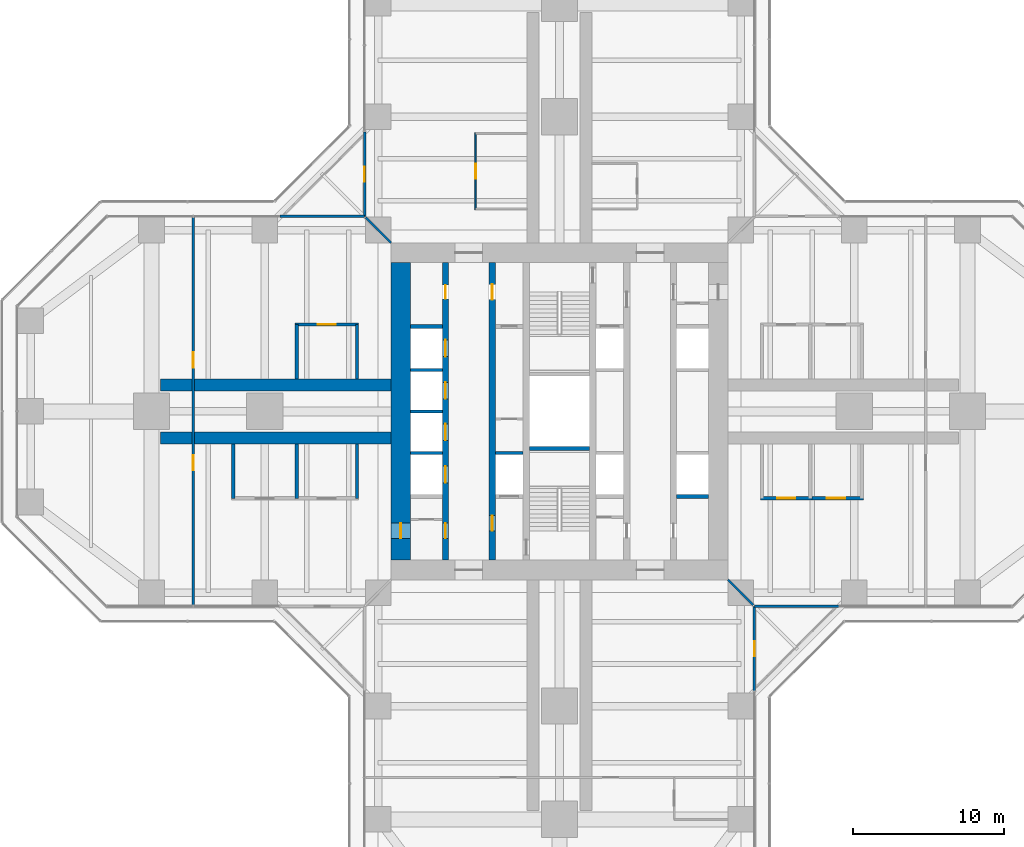
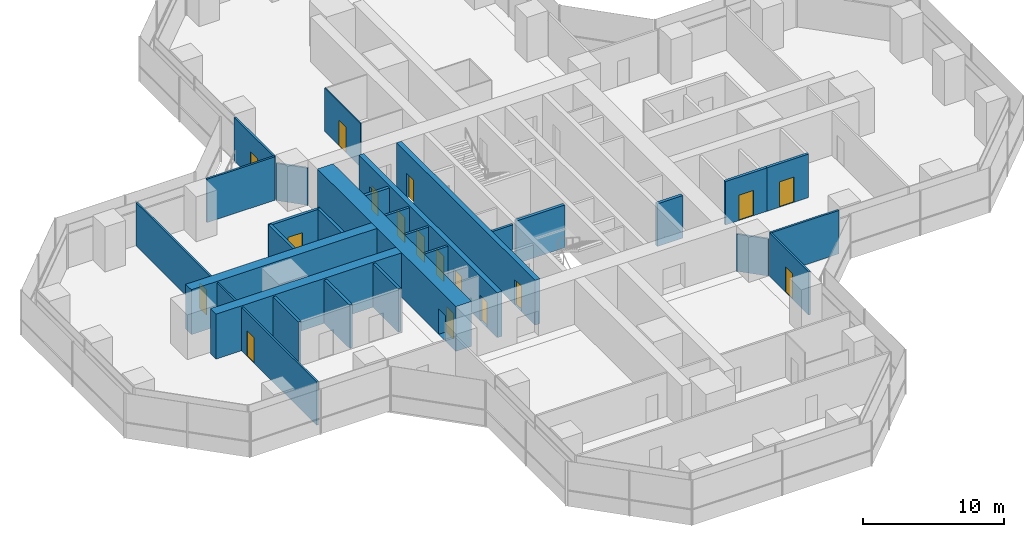
# One storey, part 18 of 22: 28 walls, 17 doors, 17 openings.
"""IFC4 building model written with IfcOpenShell, lengths in metres."""

from ifc_helpers import new_model, si_unit, direction, frame, frame_2d, origin, place, context, subcontext, project, spatial, rectangle, extrude, material, layer, layer_set, type_object, element, fill, save


model = new_model("IFC4")

# Units and contexts
model_context = context("Model", 3, precision=1e-05, world=origin(), true_north=direction((0.0, 1.0)))
body_context = subcontext(model_context, "Body", "Model", "MODEL_VIEW")
ifc_project = project(units=[si_unit("LENGTHUNIT", "METRE"), si_unit("AREAUNIT", "SQUARE_METRE"), si_unit("VOLUMEUNIT", "CUBIC_METRE"), si_unit("PLANEANGLEUNIT", "RADIAN"), si_unit("MASSUNIT", "GRAM", prefix="KILO")], contexts=[model_context])

# Site, building, storey
site_placement = place(None, origin())
site = spatial("IfcSite", under=ifc_project, at=site_placement, CompositionType="ELEMENT")
building_placement = place(site_placement, origin())
building = spatial("IfcBuilding", under=site, at=building_placement, Name="Mizan Broadcast Tower", CompositionType="ELEMENT")
storey_placement = place(building_placement, frame((0.0, 0.0, 59.10009765625)))
storey = spatial("IfcBuildingStorey", under=building, at=storey_placement, Name="L11", CompositionType="ELEMENT", Elevation=59.10009765625)

# Wall, openings, doors
ifc_material_1 = material(Name="Concrete C70/85", Category="concrete")
ifc_layer_1 = layer(ifc_material_1, 0.39990234375)
ifc_layer_set_1 = layer_set([ifc_layer_1], Name="Concrete C70/85")
wall_type_1 = type_object("IfcWallType", Name="CORE INTERNAL WALL 400", PredefinedType="SHEAR", material=ifc_layer_set_1)
wall_1_placement = place(storey_placement, frame((-7.550048828125, -9.85009765625, 0.0), z_axis=(0.0, 0.0, 1.0), x_axis=(0.0, 1.0, 0.0)))
wall_1 = element("IfcWall", 1, at=wall_1_placement, inside=storey, type_object=wall_type_1, Name="Core wall CORE/XW1", PredefinedType="SHEAR", context=body_context, shape_type="SweptSolid", body=[
    extrude(rectangle(XDim=19.7001953125, YDim=0.39990234375, at=frame_2d((9.85009765625, 0.0))), origin(), (0.0, 0.0, 1.0), 3.89990234375),
])
opening_1_placement = place(wall_1_placement, frame((1.449951171875, 0.0, 0.0)))
opening_1 = element("IfcOpeningElement", 2, at=opening_1_placement, cuts=wall_1, Name="Opening D10F", PredefinedType="OPENING", context=body_context, shape_type="SweptSolid", body=[
    extrude(rectangle(XDim=1.0, YDim=2.199951171875, at=frame_2d((0.5, 1.10009765625))), frame((0.0, 0.2099609375, 0.0), z_axis=(0.0, -1.0, 0.0), x_axis=(1.0, 0.0, 0.0)), (0.0, 0.0, 1.0), 0.419921875),
])
opening_2_placement = place(wall_1_placement, frame((17.300048828125, 0.0, 0.0)))
opening_2 = element("IfcOpeningElement", 3, at=opening_2_placement, cuts=wall_1, Name="Opening D09", PredefinedType="OPENING", context=body_context, shape_type="SweptSolid", body=[
    extrude(rectangle(XDim=0.89990234375, YDim=2.10009765625, at=frame_2d((0.449951171875, 1.050048828125))), frame((0.0, 0.2099609375, 0.0), z_axis=(0.0, -1.0, 0.0), x_axis=(1.0, 0.0, 0.0)), (0.0, 0.0, 1.0), 0.419921875),
])
opening_3_placement = place(wall_1_placement, frame((5.125, 0.0, 0.0)))
opening_3 = element("IfcOpeningElement", 4, at=opening_3_placement, cuts=wall_1, Name="Opening LD", PredefinedType="OPENING", context=body_context, shape_type="SweptSolid", body=[
    extrude(rectangle(XDim=1.10009765625, YDim=2.199951171875, at=frame_2d((0.550048828125, 1.10009765625))), frame((0.0, 0.2099609375, 0.0), z_axis=(0.0, -1.0, 0.0), x_axis=(1.0, 0.0, 0.0)), (0.0, 0.0, 1.0), 0.419921875),
])
opening_4_placement = place(wall_1_placement, frame((7.925048828125, 0.0, 0.0)))
opening_4 = element("IfcOpeningElement", 5, at=opening_4_placement, cuts=wall_1, Name="Opening LD", PredefinedType="OPENING", context=body_context, shape_type="SweptSolid", body=[
    extrude(rectangle(XDim=1.10009765625, YDim=2.199951171875, at=frame_2d((0.550048828125, 1.10009765625))), frame((0.0, 0.2099609375, 0.0), z_axis=(0.0, -1.0, 0.0), x_axis=(1.0, 0.0, 0.0)), (0.0, 0.0, 1.0), 0.419921875),
])
opening_5_placement = place(wall_1_placement, frame((10.675048828125, 0.0, 0.0)))
opening_5 = element("IfcOpeningElement", 6, at=opening_5_placement, cuts=wall_1, Name="Opening LD", PredefinedType="OPENING", context=body_context, shape_type="SweptSolid", body=[
    extrude(rectangle(XDim=1.10009765625, YDim=2.199951171875, at=frame_2d((0.550048828125, 1.10009765625))), frame((0.0, 0.2099609375, 0.0), z_axis=(0.0, -1.0, 0.0), x_axis=(1.0, 0.0, 0.0)), (0.0, 0.0, 1.0), 0.419921875),
])
opening_6_placement = place(wall_1_placement, frame((13.47509765625, 0.0, 0.0)))
opening_6 = element("IfcOpeningElement", 7, at=opening_6_placement, cuts=wall_1, Name="Opening LD", PredefinedType="OPENING", context=body_context, shape_type="SweptSolid", body=[
    extrude(rectangle(XDim=1.10009765625, YDim=2.199951171875, at=frame_2d((0.550048828125, 1.10009765625))), frame((0.0, 0.2099609375, 0.0), z_axis=(0.0, -1.0, 0.0), x_axis=(1.0, 0.0, 0.0)), (0.0, 0.0, 1.0), 0.419921875),
])
ifc_material_2 = material(Name="Steel door leaf in steel frame", Category="steel")
door_type_1 = type_object("IfcDoorType", Name="FIRE DOOR 1000 FD90", OperationType="SINGLE_SWING_LEFT", PredefinedType="DOOR", material=ifc_material_2)
door_1_placement = place(opening_1_placement, origin())
door_1 = element("IfcDoor", 8, at=door_1_placement, inside=storey, type_object=door_type_1, Name="West core passage door", OperationType="SINGLE_SWING_LEFT", OverallHeight=2.199951171875, OverallWidth=1.0, PredefinedType="DOOR", context=body_context, shape_type="SweptSolid", body=[
    extrude(rectangle(XDim=1.0, YDim=2.199951171875, at=frame_2d((0.5, 1.10009765625))), frame((0.0, 0.02490234375, 0.0), z_axis=(0.0, -1.0, 0.0), x_axis=(1.0, 0.0, 0.0)), (0.0, 0.0, 1.0), 0.050048828125),
])
fill(opening_1, door_1)
ifc_material_3 = material(Name="Steel door leaf in steel frame", Category="steel")
door_type_2 = type_object("IfcDoorType", Name="LIFT LANDING DOOR 1100", OperationType="SLIDING_TO_LEFT", PredefinedType="DOOR", material=ifc_material_3)
door_2_placement = place(opening_3_placement, origin())
door_2 = element("IfcDoor", 9, at=door_2_placement, inside=storey, type_object=door_type_2, Name="Landing door LA1", OperationType="SLIDING_TO_LEFT", OverallHeight=2.199951171875, OverallWidth=1.10009765625, PredefinedType="DOOR", context=body_context, shape_type="SweptSolid", body=[
    extrude(rectangle(XDim=1.10009765625, YDim=2.199951171875, at=frame_2d((0.550048828125, 1.10009765625))), frame((0.0, 0.02490234375, 0.0), z_axis=(0.0, -1.0, 0.0), x_axis=(1.0, 0.0, 0.0)), (0.0, 0.0, 1.0), 0.050048828125),
])
fill(opening_3, door_2)
door_3_placement = place(opening_4_placement, origin())
door_3 = element("IfcDoor", 10, at=door_3_placement, inside=storey, type_object=door_type_2, Name="Landing door LA2", OperationType="SLIDING_TO_LEFT", OverallHeight=2.199951171875, OverallWidth=1.10009765625, PredefinedType="DOOR", context=body_context, shape_type="SweptSolid", body=[
    extrude(rectangle(XDim=1.10009765625, YDim=2.199951171875, at=frame_2d((0.550048828125, 1.10009765625))), frame((0.0, 0.02490234375, 0.0), z_axis=(0.0, -1.0, 0.0), x_axis=(1.0, 0.0, 0.0)), (0.0, 0.0, 1.0), 0.050048828125),
])
fill(opening_4, door_3)
door_4_placement = place(opening_5_placement, origin())
door_4 = element("IfcDoor", 11, at=door_4_placement, inside=storey, type_object=door_type_2, Name="Landing door LA3", OperationType="SLIDING_TO_LEFT", OverallHeight=2.199951171875, OverallWidth=1.10009765625, PredefinedType="DOOR", context=body_context, shape_type="SweptSolid", body=[
    extrude(rectangle(XDim=1.10009765625, YDim=2.199951171875, at=frame_2d((0.550048828125, 1.10009765625))), frame((0.0, 0.02490234375, 0.0), z_axis=(0.0, -1.0, 0.0), x_axis=(1.0, 0.0, 0.0)), (0.0, 0.0, 1.0), 0.050048828125),
])
fill(opening_5, door_4)
door_5_placement = place(opening_6_placement, origin())
door_5 = element("IfcDoor", 12, at=door_5_placement, inside=storey, type_object=door_type_2, Name="Landing door LA4", OperationType="SLIDING_TO_LEFT", OverallHeight=2.199951171875, OverallWidth=1.10009765625, PredefinedType="DOOR", context=body_context, shape_type="SweptSolid", body=[
    extrude(rectangle(XDim=1.10009765625, YDim=2.199951171875, at=frame_2d((0.550048828125, 1.10009765625))), frame((0.0, 0.02490234375, 0.0), z_axis=(0.0, -1.0, 0.0), x_axis=(1.0, 0.0, 0.0)), (0.0, 0.0, 1.0), 0.050048828125),
])
fill(opening_6, door_5)
ifc_material_4 = material(Name="Timber door leaf in aluminium frame", Category="wood")
door_type_3 = type_object("IfcDoorType", Name="TOILET DOOR 900", OperationType="SINGLE_SWING_LEFT", PredefinedType="DOOR", material=ifc_material_4)
door_6_placement = place(opening_2_placement, origin())
door_6 = element("IfcDoor", 13, at=door_6_placement, inside=storey, type_object=door_type_3, Name="Male WC door", OperationType="SINGLE_SWING_RIGHT", OverallHeight=2.10009765625, OverallWidth=0.89990234375, PredefinedType="DOOR", context=body_context, shape_type="SweptSolid", body=[
    extrude(rectangle(XDim=0.89990234375, YDim=2.10009765625, at=frame_2d((0.449951171875, 1.050048828125))), frame((0.0, 0.02490234375, 0.0), z_axis=(0.0, -1.0, 0.0), x_axis=(1.0, 0.0, 0.0)), (0.0, 0.0, 1.0), 0.050048828125),
])
fill(opening_2, door_6)

wall_2_placement = place(storey_placement, frame((-4.449951171875, -9.85009765625, 0.0), z_axis=(0.0, 0.0, 1.0), x_axis=(0.0, 1.0, 0.0)))
wall_2 = element("IfcWall", 14, at=wall_2_placement, inside=storey, type_object=wall_type_1, Name="Core wall CORE/XWH", PredefinedType="SHEAR", context=body_context, shape_type="SweptSolid", body=[
    extrude(rectangle(XDim=19.7001953125, YDim=0.39990234375, at=frame_2d((9.85009765625, 0.0))), origin(), (0.0, 0.0, 1.0), 3.89990234375),
])
opening_7_placement = place(wall_2_placement, frame((1.949951171875, 0.0, 0.0)))
opening_7 = element("IfcOpeningElement", 15, at=opening_7_placement, cuts=wall_2, Name="Opening D10F", PredefinedType="OPENING", context=body_context, shape_type="SweptSolid", body=[
    extrude(rectangle(XDim=1.0, YDim=2.199951171875, at=frame_2d((0.5, 1.10009765625))), frame((0.0, 0.2099609375, 0.0), z_axis=(0.0, -1.0, 0.0), x_axis=(1.0, 0.0, 0.0)), (0.0, 0.0, 1.0), 0.419921875),
])
opening_8_placement = place(wall_2_placement, frame((17.25, 0.0, 0.0)))
opening_8 = element("IfcOpeningElement", 16, at=opening_8_placement, cuts=wall_2, Name="Opening D10A", PredefinedType="OPENING", context=body_context, shape_type="SweptSolid", body=[
    extrude(rectangle(XDim=1.0, YDim=2.10009765625, at=frame_2d((0.5, 1.050048828125))), frame((0.0, 0.2099609375, 0.0), z_axis=(0.0, -1.0, 0.0), x_axis=(1.0, 0.0, 0.0)), (0.0, 0.0, 1.0), 0.419921875),
])
ifc_material_5 = material(Name="Timber door leaf in aluminium frame", Category="wood")
door_type_4 = type_object("IfcDoorType", Name="ACCESSIBLE WC DOOR 1000", OperationType="SLIDING_TO_LEFT", PredefinedType="DOOR", material=ifc_material_5)
door_7_placement = place(opening_8_placement, origin())
door_7 = element("IfcDoor", 17, at=door_7_placement, inside=storey, type_object=door_type_4, Name="Accessible WC door", OperationType="SLIDING_TO_LEFT", OverallHeight=2.10009765625, OverallWidth=1.0, PredefinedType="DOOR", context=body_context, shape_type="SweptSolid", body=[
    extrude(rectangle(XDim=1.0, YDim=2.10009765625, at=frame_2d((0.5, 1.050048828125))), frame((0.0, 0.02490234375, 0.0), z_axis=(0.0, -1.0, 0.0), x_axis=(1.0, 0.0, 0.0)), (0.0, 0.0, 1.0), 0.050048828125),
])
fill(opening_8, door_7)
door_8_placement = place(opening_7_placement, origin())
door_8 = element("IfcDoor", 18, at=door_8_placement, inside=storey, type_object=door_type_1, Name="Firefighting lobby A door", OperationType="SINGLE_SWING_LEFT", OverallHeight=2.199951171875, OverallWidth=1.0, PredefinedType="DOOR", context=body_context, shape_type="SweptSolid", body=[
    extrude(rectangle(XDim=1.0, YDim=2.199951171875, at=frame_2d((0.5, 1.10009765625))), frame((0.0, 0.02490234375, 0.0), z_axis=(0.0, -1.0, 0.0), x_axis=(1.0, 0.0, 0.0)), (0.0, 0.0, 1.0), 0.050048828125),
])
fill(opening_7, door_8)

# Wall, opening, door
ifc_material_6 = material(Name="Concrete C70/85", Category="concrete")
ifc_layer_2 = layer(ifc_material_6, 1.300048828125)
ifc_layer_set_2 = layer_set([ifc_layer_2], Name="Concrete C70/85")
wall_type_2 = type_object("IfcWallType", Name="CORE WALL 1300", PredefinedType="SHEAR", material=ifc_layer_set_2)
wall_3_placement = place(storey_placement, frame((-10.5, 9.85009765625, 0.0), z_axis=(0.0, 0.0, 1.0), x_axis=(0.0, -1.0, 0.0)))
wall_3 = element("IfcWall", 19, at=wall_3_placement, inside=storey, type_object=wall_type_2, Name="Core wall W L11", PredefinedType="SHEAR", context=body_context, shape_type="SweptSolid", body=[
    extrude(rectangle(XDim=19.7001953125, YDim=1.300048828125, at=frame_2d((9.85009765625, 0.0))), origin(), (0.0, 0.0, 1.0), 3.89990234375),
])
opening_9_placement = place(wall_3_placement, frame((17.25, 0.0, 0.0)))
opening_9 = element("IfcOpeningElement", 20, at=opening_9_placement, cuts=wall_3, Name="Opening D10F", PredefinedType="OPENING", context=body_context, shape_type="SweptSolid", body=[
    extrude(rectangle(XDim=1.0, YDim=2.199951171875, at=frame_2d((0.5, 1.10009765625))), frame((0.0, 0.659912109375, 0.0), z_axis=(0.0, -1.0, 0.0), x_axis=(1.0, 0.0, 0.0)), (0.0, 0.0, 1.0), 1.320068359375),
])
door_9_placement = place(opening_9_placement, origin())
door_9 = element("IfcDoor", 21, at=door_9_placement, inside=storey, type_object=door_type_1, Name="West core passage arm door", OperationType="SINGLE_SWING_RIGHT", OverallHeight=2.199951171875, OverallWidth=1.0, PredefinedType="DOOR", context=body_context, shape_type="SweptSolid", body=[
    extrude(rectangle(XDim=1.0, YDim=2.199951171875, at=frame_2d((0.5, 1.10009765625))), frame((0.0, 0.02490234375, 0.0), z_axis=(0.0, -1.0, 0.0), x_axis=(1.0, 0.0, 0.0)), (0.0, 0.0, 1.0), 0.050048828125),
])
fill(opening_9, door_9)

# Wall
ifc_material_7 = material(Name="Aluminium framed glazed screen", Category="aluminium")
ifc_layer_3 = layer(ifc_material_7, 0.159912109375)
ifc_layer_set_3 = layer_set([ifc_layer_3], Name="Aluminium framed glazed screen")
wall_type_3 = type_object("IfcWallType", Name="GLAZED SCREEN WALL 160", PredefinedType="SOLIDWALL", material=ifc_layer_set_3)
wall_4_placement = place(storey_placement, frame((12.89990234375, -12.89990234375, 0.0), z_axis=(0.0, 0.0, 1.0), x_axis=(1.0, 0.0, 0.0)))
element("IfcWall", 22, at=wall_4_placement, inside=storey, type_object=wall_type_3, Name="Winter garden screen L11 E", PredefinedType="SOLIDWALL", context=body_context, shape_type="SweptSolid", body=[
    extrude(rectangle(XDim=5.60009765625, YDim=0.159912109375, at=frame_2d((2.800048828125, 0.0))), origin(), (0.0, 0.0, 1.0), 3.77001953125),
])

# Wall, opening, door
wall_5_placement = place(storey_placement, frame((-12.89990234375, 18.5, 0.0), z_axis=(0.0, 0.0, 1.0), x_axis=(0.0, -1.0, 0.0)))
wall_5 = element("IfcWall", 23, at=wall_5_placement, inside=storey, type_object=wall_type_3, Name="Winter garden screen L11 N", PredefinedType="SOLIDWALL", context=body_context, shape_type="SweptSolid", body=[
    extrude(rectangle(XDim=5.60009765625, YDim=0.159912109375, at=frame_2d((2.800048828125, 0.0))), origin(), (0.0, 0.0, 1.0), 3.77001953125),
])
opening_10_placement = place(wall_5_placement, frame((2.300048828125, 0.0, 0.0)))
opening_10 = element("IfcOpeningElement", 24, at=opening_10_placement, cuts=wall_5, Name="Opening WGD", PredefinedType="OPENING", context=body_context, shape_type="SweptSolid", body=[
    extrude(rectangle(XDim=1.0, YDim=2.199951171875, at=frame_2d((0.5, 1.10009765625))), frame((0.0, 0.08984375, 0.0), z_axis=(0.0, -1.0, 0.0), x_axis=(1.0, 0.0, 0.0)), (0.0, 0.0, 1.0), 0.179931640625),
])
ifc_material_8 = material(Name="Aluminium framed glazed door", Category="aluminium")
door_type_5 = type_object("IfcDoorType", Name="WINTER GARDEN DOOR 1000 GLAZED", OperationType="SINGLE_SWING_LEFT", PredefinedType="DOOR", material=ifc_material_8)
door_10_placement = place(opening_10_placement, origin())
door_10 = element("IfcDoor", 25, at=door_10_placement, inside=storey, type_object=door_type_5, Name="Winter garden door L11 N", OperationType="SINGLE_SWING_RIGHT", OverallHeight=2.199951171875, OverallWidth=1.0, PredefinedType="DOOR", context=body_context, shape_type="SweptSolid", body=[
    extrude(rectangle(XDim=1.0, YDim=2.199951171875, at=frame_2d((0.5, 1.10009765625))), frame((0.0, 0.02490234375, 0.0), z_axis=(0.0, -1.0, 0.0), x_axis=(1.0, 0.0, 0.0)), (0.0, 0.0, 1.0), 0.050048828125),
])
fill(opening_10, door_10)

# Wall
wall_6_placement = place(storey_placement, frame((-12.89990234375, 12.89990234375, 0.0), z_axis=(0.0, 0.0, 1.0), x_axis=(-1.0, 0.0, 0.0)))
element("IfcWall", 26, at=wall_6_placement, inside=storey, type_object=wall_type_3, Name="Winter garden screen L11 W", PredefinedType="SOLIDWALL", context=body_context, shape_type="SweptSolid", body=[
    extrude(rectangle(XDim=5.60009765625, YDim=0.159912109375, at=frame_2d((2.800048828125, 0.0))), origin(), (0.0, 0.0, 1.0), 3.77001953125),
])

# Wall, opening, door
wall_7_placement = place(storey_placement, frame((12.89990234375, -18.5, 0.0), z_axis=(0.0, 0.0, 1.0), x_axis=(0.0, 1.0, 0.0)))
wall_7 = element("IfcWall", 27, at=wall_7_placement, inside=storey, type_object=wall_type_3, Name="Winter garden screen L11 S", PredefinedType="SOLIDWALL", context=body_context, shape_type="SweptSolid", body=[
    extrude(rectangle(XDim=5.60009765625, YDim=0.159912109375, at=frame_2d((2.800048828125, 0.0))), origin(), (0.0, 0.0, 1.0), 3.77001953125),
])
opening_11_placement = place(wall_7_placement, frame((2.300048828125, 0.0, 0.0)))
opening_11 = element("IfcOpeningElement", 28, at=opening_11_placement, cuts=wall_7, Name="Opening WGD", PredefinedType="OPENING", context=body_context, shape_type="SweptSolid", body=[
    extrude(rectangle(XDim=1.0, YDim=2.199951171875, at=frame_2d((0.5, 1.10009765625))), frame((0.0, 0.08984375, 0.0), z_axis=(0.0, -1.0, 0.0), x_axis=(1.0, 0.0, 0.0)), (0.0, 0.0, 1.0), 0.179931640625),
])
door_11_placement = place(opening_11_placement, origin())
door_11 = element("IfcDoor", 29, at=door_11_placement, inside=storey, type_object=door_type_5, Name="Winter garden door L11 S", OperationType="SINGLE_SWING_RIGHT", OverallHeight=2.199951171875, OverallWidth=1.0, PredefinedType="DOOR", context=body_context, shape_type="SweptSolid", body=[
    extrude(rectangle(XDim=1.0, YDim=2.199951171875, at=frame_2d((0.5, 1.10009765625))), frame((0.0, 0.02490234375, 0.0), z_axis=(0.0, -1.0, 0.0), x_axis=(1.0, 0.0, 0.0)), (0.0, 0.0, 1.0), 0.050048828125),
])
fill(opening_11, door_11)

# Walls
ifc_material_9 = material(Name="Concrete blockwork", Category="masonry")
ifc_layer_4 = layer(ifc_material_9, 0.199951171875)
ifc_layer_set_4 = layer_set([ifc_layer_4], Name="Concrete blockwork")
wall_type_4 = type_object("IfcWallType", Name="LIFT SHAFT WALL 200", PredefinedType="SOLIDWALL", material=ifc_layer_set_4)
wall_8_placement = place(storey_placement, frame((-9.85009765625, -2.75, 0.0), z_axis=(0.0, 0.0, 1.0), x_axis=(1.0, 0.0, 0.0)))
element("IfcWall", 30, at=wall_8_placement, inside=storey, type_object=wall_type_4, Name="Lift shaft wall CORE/SW1-1", PredefinedType="SOLIDWALL", context=body_context, shape_type="SweptSolid", body=[
    extrude(rectangle(XDim=2.10009765625, YDim=0.199951171875, at=frame_2d((1.050048828125, 0.0))), origin(), (0.0, 0.0, 1.0), 3.699951171875),
])
wall_9_placement = place(storey_placement, frame((-4.25, -2.75, 0.0), z_axis=(0.0, 0.0, 1.0), x_axis=(1.0, 0.0, 0.0)))
element("IfcWall", 31, at=wall_9_placement, inside=storey, type_object=wall_type_4, Name="Lift shaft wall CORE/SW2-1", PredefinedType="SOLIDWALL", context=body_context, shape_type="SweptSolid", body=[
    extrude(rectangle(XDim=1.85009765625, YDim=0.199951171875, at=frame_2d((0.925048828125, 0.0))), origin(), (0.0, 0.0, 1.0), 3.699951171875),
])
for number, where, z_axis, x_axis, name in (
    (32, (-9.85009765625, 0.0, 0.0), (0.0, 0.0, 1.0), (1.0, 0.0, 0.0), "Lift shaft wall CORE/SW1-2"),
    (33, (-9.85009765625, 2.75, 0.0), (0.0, 0.0, 1.0), (1.0, 0.0, 0.0), "Lift shaft wall CORE/SW1-3"),
):
    element("IfcWall", number, at=place(storey_placement, frame(where, z_axis=z_axis, x_axis=x_axis)), inside=storey, type_object=wall_type_4, Name=name, PredefinedType="SOLIDWALL", context=body_context, shape_type="SweptSolid", body=[
        extrude(rectangle(XDim=2.10009765625, YDim=0.199951171875, at=frame_2d((1.050048828125, 0.0))), origin(), (0.0, 0.0, 1.0), 3.699951171875),
    ])
ifc_material_10 = material(Name="Concrete blockwork", Category="masonry")
ifc_layer_5 = layer(ifc_material_10, 0.25)
ifc_layer_set_5 = layer_set([ifc_layer_5], Name="Concrete blockwork")
wall_type_5 = type_object("IfcWallType", Name="LOBBY ENCLOSURE WALL 250", PredefinedType="SOLIDWALL", material=ifc_layer_set_5)
for number, where, z_axis, x_axis, name in (
    (34, (-9.85009765625, 5.625, 0.0), (0.0, 0.0, 1.0), (1.0, 0.0, 0.0), "Lobby enclosure wall CORE/BW1N"),
    (35, (7.75, -5.625, 0.0), (0.0, 0.0, 1.0), (1.0, 0.0, 0.0), "Lobby enclosure wall CORE/BE1S"),
):
    element("IfcWall", number, at=place(storey_placement, frame(where, z_axis=z_axis, x_axis=x_axis)), inside=storey, type_object=wall_type_5, Name=name, PredefinedType="SOLIDWALL", context=body_context, shape_type="SweptSolid", body=[
        extrude(rectangle(XDim=2.10009765625, YDim=0.25, at=frame_2d((1.050048828125, 0.0))), origin(), (0.0, 0.0, 1.0), 3.699951171875),
    ])
wall_10_placement = place(storey_placement, frame((-2.0, -2.449951171875, 0.0), z_axis=(0.0, 0.0, 1.0), x_axis=(1.0, 0.0, 0.0)))
element("IfcWall", 36, at=wall_10_placement, inside=storey, type_object=wall_type_5, Name="Lobby enclosure wall CORE/STA", PredefinedType="SOLIDWALL", context=body_context, shape_type="SweptSolid", body=[
    extrude(rectangle(XDim=4.0, YDim=0.25, at=frame_2d((2.0, 0.0))), origin(), (0.0, 0.0, 1.0), 3.699951171875),
])

# Wall, openings, doors
ifc_material_11 = material(Name="Gypsum board on steel studs", Category="steel")
ifc_layer_6 = layer(ifc_material_11, 0.14990234375)
ifc_layer_set_6 = layer_set([ifc_layer_6], Name="Gypsum board on steel studs")
wall_type_6 = type_object("IfcWallType", Name="PARTITION 150", PredefinedType="PARTITIONING", material=ifc_layer_set_6)
wall_11_placement = place(storey_placement, frame((-24.22900390625, 12.820068359375, 0.0), z_axis=(0.0, 0.0, 1.0), x_axis=(0.0, -1.0, 0.0)))
wall_11 = element("IfcWall", 37, at=wall_11_placement, inside=storey, type_object=wall_type_6, Name="Partition PT/WX1", PredefinedType="PARTITIONING", context=body_context, shape_type="SweptSolid", body=[
    extrude(rectangle(XDim=25.64013671875, YDim=0.14990234375, at=frame_2d((12.820068359375, 0.0))), origin(), (0.0, 0.0, 1.0), 3.77001953125),
])
opening_12_placement = place(wall_11_placement, frame((15.719970703125, 0.0, 0.0)))
opening_12 = element("IfcOpeningElement", 38, at=opening_12_placement, cuts=wall_11, Name="Opening D10", PredefinedType="OPENING", context=body_context, shape_type="SweptSolid", body=[
    extrude(rectangle(XDim=1.0, YDim=2.199951171875, at=frame_2d((0.5, 1.10009765625))), frame((0.0, 0.0849609375, 0.0), z_axis=(0.0, -1.0, 0.0), x_axis=(1.0, 0.0, 0.0)), (0.0, 0.0, 1.0), 0.169921875),
])
opening_13_placement = place(wall_11_placement, frame((8.919921875, 0.0, 0.0)))
opening_13 = element("IfcOpeningElement", 39, at=opening_13_placement, cuts=wall_11, Name="Opening D10", PredefinedType="OPENING", context=body_context, shape_type="SweptSolid", body=[
    extrude(rectangle(XDim=1.0, YDim=2.199951171875, at=frame_2d((0.5, 1.10009765625))), frame((0.0, 0.0849609375, 0.0), z_axis=(0.0, -1.0, 0.0), x_axis=(1.0, 0.0, 0.0)), (0.0, 0.0, 1.0), 0.169921875),
])
ifc_material_12 = material(Name="Timber door leaf in aluminium frame", Category="wood")
door_type_6 = type_object("IfcDoorType", Name="ROOM DOOR 1000", OperationType="SINGLE_SWING_LEFT", PredefinedType="DOOR", material=ifc_material_12)
door_12_placement = place(opening_12_placement, origin())
door_12 = element("IfcDoor", 40, at=door_12_placement, inside=storey, type_object=door_type_6, Name="Open office door", OperationType="SINGLE_SWING_RIGHT", OverallHeight=2.199951171875, OverallWidth=1.0, PredefinedType="DOOR", context=body_context, shape_type="SweptSolid", body=[
    extrude(rectangle(XDim=1.0, YDim=2.199951171875, at=frame_2d((0.5, 1.10009765625))), frame((0.0, 0.02490234375, 0.0), z_axis=(0.0, -1.0, 0.0), x_axis=(1.0, 0.0, 0.0)), (0.0, 0.0, 1.0), 0.050048828125),
])
fill(opening_12, door_12)
door_13_placement = place(opening_13_placement, origin())
door_13 = element("IfcDoor", 41, at=door_13_placement, inside=storey, type_object=door_type_6, Name="Open office door", OperationType="SINGLE_SWING_LEFT", OverallHeight=2.199951171875, OverallWidth=1.0, PredefinedType="DOOR", context=body_context, shape_type="SweptSolid", body=[
    extrude(rectangle(XDim=1.0, YDim=2.199951171875, at=frame_2d((0.5, 1.10009765625))), frame((0.0, 0.02490234375, 0.0), z_axis=(0.0, -1.0, 0.0), x_axis=(1.0, 0.0, 0.0)), (0.0, 0.0, 1.0), 0.050048828125),
])
fill(opening_13, door_13)

# Walls
for number, where, z_axis, x_axis, name in (
    (42, (-11.14990234375, 11.14990234375, 0.0), (0.0, 0.0, 1.0), (-0.707106781187, 0.707106781187, 0.0), "Partition PT/DGWN"),
    (43, (11.14990234375, -11.14990234375, 0.0), (0.0, 0.0, 1.0), (0.707106781187, -0.707106781187, 0.0), "Partition PT/DGES"),
):
    element("IfcWall", number, at=place(storey_placement, frame(where, z_axis=z_axis, x_axis=x_axis)), inside=storey, type_object=wall_type_6, Name=name, PredefinedType="PARTITIONING", context=body_context, shape_type="SweptSolid", body=[
        extrude(rectangle(XDim=2.362060546875, YDim=0.14990234375, at=frame_2d((1.18115234375, 0.0))), origin(), (0.0, 0.0, 1.0), 3.219970703125),
    ])

# Wall, opening, door
ifc_material_13 = material(Name="Twin steel stud acoustic partition, four layers of gypsum board", Category="steel")
ifc_layer_7 = layer(ifc_material_13, 0.22509765625)
ifc_layer_set_7 = layer_set([ifc_layer_7], Name="Twin steel stud acoustic partition, four layers of gypsum board")
wall_type_7 = type_object("IfcWallType", Name="PARTITION ACOUSTIC 225", PredefinedType="PARTITIONING", material=ifc_layer_set_7)
wall_12_placement = place(storey_placement, frame((13.28759765625, -5.75, 0.0), z_axis=(0.0, 0.0, 1.0), x_axis=(1.0, 0.0, 0.0)))
wall_12 = element("IfcWall", 44, at=wall_12_placement, inside=storey, type_object=wall_type_7, Name="Acoustic partition PT/EKN0f", PredefinedType="PARTITIONING", context=body_context, shape_type="SweptSolid", body=[
    extrude(rectangle(XDim=3.4248046875, YDim=0.22509765625, at=frame_2d((1.71240234375, 0.0))), origin(), (0.0, 0.0, 1.0), 3.77001953125),
])
opening_14_placement = place(wall_12_placement, frame((1.112548828125, 0.0, 0.0)))
opening_14 = element("IfcOpeningElement", 45, at=opening_14_placement, cuts=wall_12, Name="Opening D12A", PredefinedType="OPENING", context=body_context, shape_type="SweptSolid", body=[
    extrude(rectangle(XDim=1.199951171875, YDim=2.199951171875, at=frame_2d((0.60009765625, 1.10009765625))), frame((0.0, 0.12255859375, 0.0), z_axis=(0.0, -1.0, 0.0), x_axis=(1.0, 0.0, 0.0)), (0.0, 0.0, 1.0), 0.2451171875),
])
ifc_material_14 = material(Name="Timber door leaf in aluminium frame", Category="wood")
door_type_7 = type_object("IfcDoorType", Name="ACOUSTIC DOOR 1200", OperationType="SINGLE_SWING_LEFT", PredefinedType="DOOR", material=ifc_material_14)
door_14_placement = place(opening_14_placement, origin())
door_14 = element("IfcDoor", 46, at=door_14_placement, inside=storey, type_object=door_type_7, Name="Edit suite door", OperationType="SINGLE_SWING_LEFT", OverallHeight=2.199951171875, OverallWidth=1.199951171875, PredefinedType="DOOR", context=body_context, shape_type="SweptSolid", body=[
    extrude(rectangle(XDim=1.199951171875, YDim=2.199951171875, at=frame_2d((0.60009765625, 1.10009765625))), frame((0.0, 0.02490234375, 0.0), z_axis=(0.0, -1.0, 0.0), x_axis=(1.0, 0.0, 0.0)), (0.0, 0.0, 1.0), 0.050048828125),
])
fill(opening_14, door_14)

wall_13_placement = place(storey_placement, frame((16.71240234375, -5.75, 0.0), z_axis=(0.0, 0.0, 1.0), x_axis=(1.0, 0.0, 0.0)))
wall_13 = element("IfcWall", 47, at=wall_13_placement, inside=storey, type_object=wall_type_7, Name="Acoustic partition PT/EKN1f", PredefinedType="PARTITIONING", context=body_context, shape_type="SweptSolid", body=[
    extrude(rectangle(XDim=3.400146484375, YDim=0.22509765625, at=frame_2d((1.7001953125, 0.0))), origin(), (0.0, 0.0, 1.0), 3.77001953125),
])
opening_15_placement = place(wall_13_placement, frame((0.987548828125, 0.0, 0.0)))
opening_15 = element("IfcOpeningElement", 48, at=opening_15_placement, cuts=wall_13, Name="Opening D12A", PredefinedType="OPENING", context=body_context, shape_type="SweptSolid", body=[
    extrude(rectangle(XDim=1.199951171875, YDim=2.199951171875, at=frame_2d((0.60009765625, 1.10009765625))), frame((0.0, 0.12255859375, 0.0), z_axis=(0.0, -1.0, 0.0), x_axis=(1.0, 0.0, 0.0)), (0.0, 0.0, 1.0), 0.2451171875),
])
door_15_placement = place(opening_15_placement, origin())
door_15 = element("IfcDoor", 49, at=door_15_placement, inside=storey, type_object=door_type_7, Name="Edit suite door", OperationType="SINGLE_SWING_LEFT", OverallHeight=2.199951171875, OverallWidth=1.199951171875, PredefinedType="DOOR", context=body_context, shape_type="SweptSolid", body=[
    extrude(rectangle(XDim=1.199951171875, YDim=2.199951171875, at=frame_2d((0.60009765625, 1.10009765625))), frame((0.0, 0.02490234375, 0.0), z_axis=(0.0, -1.0, 0.0), x_axis=(1.0, 0.0, 0.0)), (0.0, 0.0, 1.0), 0.050048828125),
])
fill(opening_15, door_15)

# Walls
for number, where, z_axis, x_axis, name in (
    (50, (-13.39990234375, -2.14990234375, 0.0), (0.0, 0.0, 1.0), (0.0, -1.0, 0.0), "Acoustic partition PT/WKP0a"),
    (51, (-17.39990234375, -2.14990234375, 0.0), (0.0, 0.0, 1.0), (0.0, -1.0, 0.0), "Acoustic partition PT/WKP0b"),
    (52, (-21.60009765625, -2.14990234375, 0.0), (0.0, 0.0, 1.0), (0.0, -1.0, 0.0), "Acoustic partition PT/WKP1b"),
    (53, (-13.39990234375, 2.14990234375, 0.0), (0.0, 0.0, 1.0), (0.0, 1.0, 0.0), "Acoustic partition PT/WKN0a"),
    (54, (-17.39990234375, 2.14990234375, 0.0), (0.0, 0.0, 1.0), (0.0, 1.0, 0.0), "Acoustic partition PT/WKN0b"),
):
    element("IfcWall", number, at=place(storey_placement, frame(where, z_axis=z_axis, x_axis=x_axis)), inside=storey, type_object=wall_type_7, Name=name, PredefinedType="PARTITIONING", context=body_context, shape_type="SweptSolid", body=[
        extrude(rectangle(XDim=3.60009765625, YDim=0.22509765625, at=frame_2d((1.800048828125, 0.0))), origin(), (0.0, 0.0, 1.0), 3.77001953125),
    ])

# Wall, opening, door
wall_14_placement = place(storey_placement, frame((-13.28759765625, 5.75, 0.0), z_axis=(0.0, 0.0, 1.0), x_axis=(-1.0, 0.0, 0.0)))
wall_14 = element("IfcWall", 55, at=wall_14_placement, inside=storey, type_object=wall_type_7, Name="Acoustic partition PT/WKN0f", PredefinedType="PARTITIONING", context=body_context, shape_type="SweptSolid", body=[
    extrude(rectangle(XDim=4.224853515625, YDim=0.22509765625, at=frame_2d((2.1123046875, 0.0))), origin(), (0.0, 0.0, 1.0), 3.77001953125),
])
opening_16_placement = place(wall_14_placement, frame((1.512451171875, 0.0, 0.0)))
opening_16 = element("IfcOpeningElement", 56, at=opening_16_placement, cuts=wall_14, Name="Opening D12A", PredefinedType="OPENING", context=body_context, shape_type="SweptSolid", body=[
    extrude(rectangle(XDim=1.199951171875, YDim=2.199951171875, at=frame_2d((0.60009765625, 1.10009765625))), frame((0.0, 0.12255859375, 0.0), z_axis=(0.0, -1.0, 0.0), x_axis=(1.0, 0.0, 0.0)), (0.0, 0.0, 1.0), 0.2451171875),
])
door_16_placement = place(opening_16_placement, origin())
door_16 = element("IfcDoor", 57, at=door_16_placement, inside=storey, type_object=door_type_7, Name="Audio dubbing suite door", OperationType="SINGLE_SWING_LEFT", OverallHeight=2.199951171875, OverallWidth=1.199951171875, PredefinedType="DOOR", context=body_context, shape_type="SweptSolid", body=[
    extrude(rectangle(XDim=1.199951171875, YDim=2.199951171875, at=frame_2d((0.60009765625, 1.10009765625))), frame((0.0, 0.02490234375, 0.0), z_axis=(0.0, -1.0, 0.0), x_axis=(1.0, 0.0, 0.0)), (0.0, 0.0, 1.0), 0.050048828125),
])
fill(opening_16, door_16)

ifc_material_15 = material(Name="Glazed aluminium partition on aluminium track", Category="aluminium")
ifc_layer_8 = layer(ifc_material_15, 0.10009765625)
ifc_layer_set_8 = layer_set([ifc_layer_8], Name="Glazed aluminium partition on aluminium track")
wall_type_8 = type_object("IfcWallType", Name="PARTITION GLAZED OFFICE FRONT 100", PredefinedType="PARTITIONING", material=ifc_layer_set_8)
wall_15_placement = place(storey_placement, frame((-5.550048828125, 13.35009765625, 0.0), z_axis=(0.0, 0.0, 1.0), x_axis=(0.0, 1.0, 0.0)))
wall_15 = element("IfcWall", 58, at=wall_15_placement, inside=storey, type_object=wall_type_8, Name="Glazed office front PT/NKP0f", PredefinedType="PARTITIONING", context=body_context, shape_type="SweptSolid", body=[
    extrude(rectangle(XDim=5.099853515625, YDim=0.10009765625, at=frame_2d((2.5498046875, 0.0))), origin(), (0.0, 0.0, 1.0), 3.77001953125),
])
opening_17_placement = place(wall_15_placement, frame((2.050048828125, 0.0, 0.0)))
opening_17 = element("IfcOpeningElement", 59, at=opening_17_placement, cuts=wall_15, Name="Opening D10O", PredefinedType="OPENING", context=body_context, shape_type="SweptSolid", body=[
    extrude(rectangle(XDim=1.0, YDim=2.199951171875, at=frame_2d((0.5, 1.10009765625))), frame((0.0, 0.06005859375, 0.0), z_axis=(0.0, -1.0, 0.0), x_axis=(1.0, 0.0, 0.0)), (0.0, 0.0, 1.0), 0.1201171875),
])
ifc_material_16 = material(Name="Timber door leaf in aluminium frame", Category="wood")
door_type_8 = type_object("IfcDoorType", Name="OFFICE DOOR 1000 GLAZED", OperationType="SINGLE_SWING_LEFT", PredefinedType="DOOR", material=ifc_material_16)
door_17_placement = place(opening_17_placement, origin())
door_17 = element("IfcDoor", 60, at=door_17_placement, inside=storey, type_object=door_type_8, Name="Machine room door", OperationType="SINGLE_SWING_LEFT", OverallHeight=2.199951171875, OverallWidth=1.0, PredefinedType="DOOR", context=body_context, shape_type="SweptSolid", body=[
    extrude(rectangle(XDim=1.0, YDim=2.199951171875, at=frame_2d((0.5, 1.10009765625))), frame((0.0, 0.02490234375, 0.0), z_axis=(0.0, -1.0, 0.0), x_axis=(1.0, 0.0, 0.0)), (0.0, 0.0, 1.0), 0.050048828125),
])
fill(opening_17, door_17)

# Walls
ifc_material_17 = material(Name="Concrete C70/85", Category="concrete")
ifc_layer_9 = layer(ifc_material_17, 0.800048828125)
ifc_layer_set_9 = layer_set([ifc_layer_9], Name="Concrete C70/85")
wall_type_9 = type_object("IfcWallType", Name="SPINE WALL 800", PredefinedType="SHEAR", material=ifc_layer_set_9)
for number, where, z_axis, x_axis, name in (
    (61, (-11.14990234375, 1.75, 0.0), (0.0, 0.0, 1.0), (-1.0, 0.0, 0.0), "Spine wall WR L11"),
    (62, (-11.14990234375, -1.75, 0.0), (0.0, 0.0, 1.0), (-1.0, 0.0, 0.0), "Spine wall WL L11"),
):
    element("IfcWall", number, at=place(storey_placement, frame(where, z_axis=z_axis, x_axis=x_axis)), inside=storey, type_object=wall_type_9, Name=name, PredefinedType="SHEAR", context=body_context, shape_type="SweptSolid", body=[
        extrude(rectangle(XDim=15.25, YDim=0.800048828125, at=frame_2d((7.625, 0.0))), origin(), (0.0, 0.0, 1.0), 3.89990234375),
    ])

save(model, "model.ifc")
